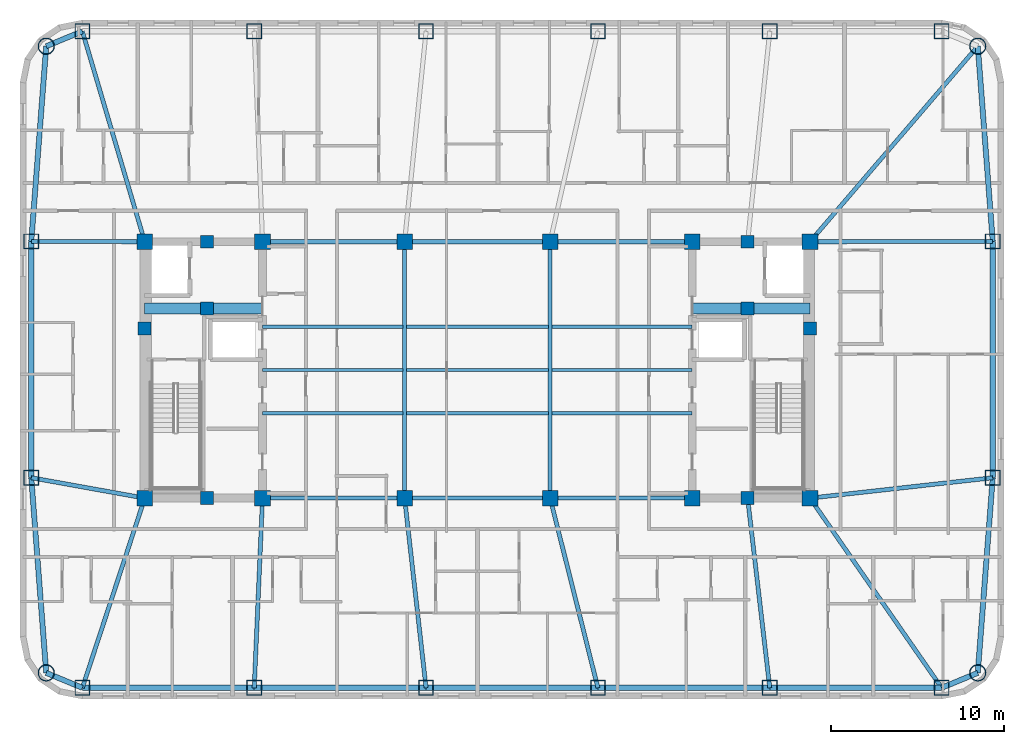
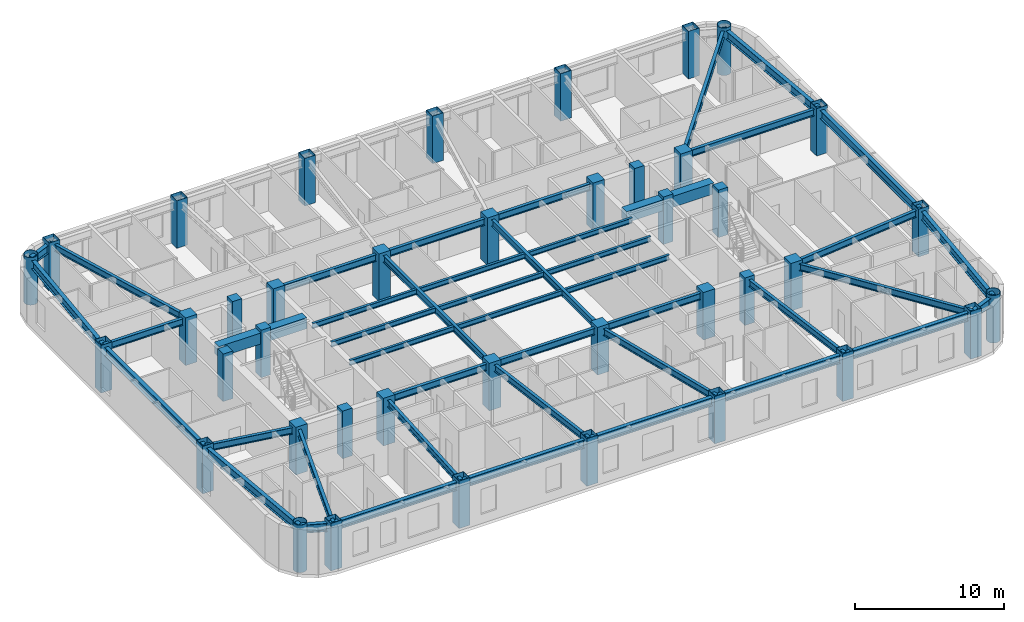
# One storey, part 1 of 11: 45 beams, 40 columns.
"""IFC4 building model written with IfcOpenShell, lengths in metres."""

import ifcopenshell
import ifcopenshell.guid

model = None  # the IFC model being written
_history = None  # IfcOwnerHistory: only IFC2X3 demands one
_inside = {}  # id of a spatial element -> (the spatial element, [elements in it])
_under = {}  # id of a project, library or spatial element -> (it, [spatial elements below it])
_declared = {}  # id of a project -> (the project, [libraries it declares])
_typed = {}  # id of a type object -> (the type object, [elements of that type])
_made_of = {}  # id of a material, layer set ... -> (it, [elements and type objects made of it])


def new_model(schema):
    """Start an empty IFC model of exactly this schema.

    Asked for "IFC4X3", IfcOpenShell would pick the latest addendum, in which some entities
    have other attributes; the version numbers below select the first issue.
    IFC2X3 requires an IfcOwnerHistory on every rooted entity: one is made here for all.
    """
    global model, _history
    if schema == "IFC4X3":
        model = ifcopenshell.file(schema_version=(4, 3, 0, 0))
    else:
        model = ifcopenshell.file(schema=schema)
    _inside.clear()
    _under.clear()
    _declared.clear()
    _typed.clear()
    _made_of.clear()
    _history = None
    if model.schema == "IFC2X3":
        org = make("IfcOrganization", Name="unknown")
        user = make(
            "IfcPersonAndOrganization",
            ThePerson=make("IfcPerson", FamilyName="unknown"),
            TheOrganization=org,
        )
        app = make(
            "IfcApplication",
            ApplicationDeveloper=org,
            Version="unknown",
            ApplicationFullName="unknown",
            ApplicationIdentifier="unknown",
        )
        _history = make(
            "IfcOwnerHistory",
            OwningUser=user,
            OwningApplication=app,
            ChangeAction="ADDED",
            CreationDate=0,
        )
    return model


def make(cls, **values):
    """One entity of the class cls with the attributes given. An attribute that is None is left unset."""
    return model.create_entity(
        cls, **{name: value for name, value in values.items() if value is not None}
    )


def rooted(cls, **values):
    """An entity with a GlobalId (a new one), such as an element, a storey or a relation."""
    return make(cls, GlobalId=ifcopenshell.guid.new(), OwnerHistory=_history, **values)


def si_unit(unit_type, name, prefix=None):
    """IfcSIUnit, for example si_unit("LENGTHUNIT", "METRE", prefix="MILLI")."""
    return make("IfcSIUnit", UnitType=unit_type, Prefix=prefix, Name=name)


def assignment(units):
    """IfcUnitAssignment: the units of a project."""
    return None if units is None else make("IfcUnitAssignment", Units=units)


def point(xyz):
    """IfcCartesianPoint."""
    return None if xyz is None else make("IfcCartesianPoint", Coordinates=xyz)


def direction(xyz):
    """IfcDirection."""
    return None if xyz is None else make("IfcDirection", DirectionRatios=xyz)


def frame(location, z_axis=None, x_axis=None):
    """IfcAxis2Placement3D, a coordinate frame: its origin and axes. An axis left out is left unset."""
    return make(
        "IfcAxis2Placement3D",
        Location=point(location),
        Axis=direction(z_axis),
        RefDirection=direction(x_axis),
    )


def frame_2d(location, x_axis=None):
    """IfcAxis2Placement2D, a coordinate frame in the plane: its origin and x axis."""
    return make(
        "IfcAxis2Placement2D", Location=point(location), RefDirection=direction(x_axis)
    )


def origin():
    """The frame at (0, 0, 0) with its axes left unset."""
    return frame((0.0, 0.0, 0.0))


def origin_2d():
    """The frame at (0, 0) in the plane with its x axis left unset."""
    return frame_2d((0.0, 0.0))


def place(relative_to, where):
    """IfcLocalPlacement: puts the frame where relative to a parent placement (None: the world)."""
    return make(
        "IfcLocalPlacement", PlacementRelTo=relative_to, RelativePlacement=where
    )


def context(
    kind, dimensions, precision=None, world=None, true_north=None, identifier=None
):
    """IfcGeometricRepresentationContext, for example the 3D "Model" context."""
    return make(
        "IfcGeometricRepresentationContext",
        ContextIdentifier=identifier,
        ContextType=kind,
        CoordinateSpaceDimension=dimensions,
        Precision=precision,
        WorldCoordinateSystem=world,
        TrueNorth=true_north,
    )


def subcontext(parent, identifier, kind, view, scale=None):
    """IfcGeometricRepresentationSubContext, for example "Body" below "Model"."""
    return make(
        "IfcGeometricRepresentationSubContext",
        ContextIdentifier=identifier,
        ContextType=kind,
        ParentContext=parent,
        TargetScale=scale,
        TargetView=view,
    )


def project(units=None, contexts=None):
    """IfcProject with its units and contexts."""
    return rooted(
        "IfcProject",
        Name="project",
        RepresentationContexts=contexts,
        UnitsInContext=assignment(units),
    )


def spatial(cls, under=None, at=None, **own):
    """A site, building, storey or space (cls), placed at a placement, below another one or the project."""
    s = rooted(cls, ObjectPlacement=at, **own)
    if under is not None:
        _under.setdefault(under.id(), (under, []))[1].append(s)
    return s


def profile(cls, at=None, kind="AREA", **sizes):
    """A parametric profile (cls). Its sizes go by their IFC names, for example OverallWidth=200.0."""
    return make(cls, ProfileType=kind, Position=at, **sizes)


def rectangle(**sizes):
    """IfcRectangleProfileDef."""
    return profile("IfcRectangleProfileDef", **sizes)


def hollow_rectangle(**sizes):
    """IfcRectangleHollowProfileDef."""
    return profile("IfcRectangleHollowProfileDef", **sizes)


def hollow_circle(**sizes):
    """IfcCircleHollowProfileDef."""
    return profile("IfcCircleHollowProfileDef", **sizes)


def i_section(**sizes):
    """IfcIShapeProfileDef."""
    return profile("IfcIShapeProfileDef", **sizes)


def extrude(swept, where, along, depth):
    """IfcExtrudedAreaSolid: the profile swept, set in the frame where, extruded along a direction by depth."""
    return make(
        "IfcExtrudedAreaSolid",
        SweptArea=swept,
        Position=where,
        ExtrudedDirection=direction(along),
        Depth=depth,
    )


def shape(context_of_items, identifier, shape_type, items):
    """IfcShapeRepresentation: the items that make up one representation, for example the "Body"."""
    return make(
        "IfcShapeRepresentation",
        ContextOfItems=context_of_items,
        RepresentationIdentifier=identifier,
        RepresentationType=shape_type,
        Items=items,
    )


def material(Name=None, Category=None):
    """IfcMaterial."""
    return make("IfcMaterial", Name=Name, Category=Category)


def material_profile(
    of_material, cross_section, Name=None, Category=None, Priority=None
):
    """IfcMaterialProfile: a cross section and its material."""
    return make(
        "IfcMaterialProfile",
        Name=Name,
        Material=of_material,
        Profile=cross_section,
        Priority=Priority,
        Category=Category,
    )


def profile_set(profiles, Name=None, composite=None):
    """IfcMaterialProfileSet."""
    return make(
        "IfcMaterialProfileSet",
        Name=Name,
        MaterialProfiles=profiles,
        CompositeProfile=composite,
    )


def made_of(thing, what):
    """Note that an element or type object is made of a material, layer set ...; save() writes the relation."""
    if what is not None:
        _made_of.setdefault(what.id(), (what, []))[1].append(thing)
    return thing


def type_object(cls, material=None, **own):
    """A type object (cls), such as IfcWallType, which elements share."""
    return made_of(rooted(cls, **own), material)


def element(
    cls,
    number,
    at=None,
    inside=None,
    cuts=None,
    type_object=None,
    material=None,
    context=None,
    identifier="Body",
    shape_type=None,
    held_by="IfcProductDefinitionShape",
    body=None,
    shapes=None,
    **own,
):
    """One element of the class cls, such as IfcWall. Its Tag is "e" and its number.

    at: its placement. inside: the storey or other place that contains it. cuts: it is an
    opening in that element (IfcRelVoidsElement). A single representation is given by context,
    identifier, shape_type and body (its items); several are given by shapes. held_by: the class
    of the entity that holds the representations. save() writes the other relations.
    """
    e = rooted(cls, Tag="e%d" % number, ObjectPlacement=at, **own)
    if body is not None:
        shapes = [shape(context, identifier, shape_type, body)]
    if shapes is not None:
        e.Representation = make(held_by, Representations=shapes)
    if inside is not None:
        _inside.setdefault(inside.id(), (inside, []))[1].append(e)
    if cuts is not None:
        rooted(
            "IfcRelVoidsElement", RelatingBuildingElement=cuts, RelatedOpeningElement=e
        )
    if type_object is not None:
        _typed.setdefault(type_object.id(), (type_object, []))[1].append(e)
    return made_of(e, material)


def aggregate(whole, parts):
    """IfcRelAggregates: a whole, such as a stair, and the parts it consists of."""
    return rooted("IfcRelAggregates", RelatingObject=whole, RelatedObjects=parts)


def save(model, path):
    """Write the relations noted so far, then the file.

    IfcRelAggregates (storeys below a building ...), IfcRelContainedInSpatialStructure (elements
    in a storey), IfcRelDefinesByType, IfcRelAssociatesMaterial and IfcRelDeclares: one each for
    every whole, place, type object, material and project.
    """
    for whole, parts in _under.values():
        aggregate(whole, parts)
    for where, things in _inside.values():
        rooted(
            "IfcRelContainedInSpatialStructure",
            RelatedElements=things,
            RelatingStructure=where,
        )
    for kind, things in _typed.values():
        rooted("IfcRelDefinesByType", RelatedObjects=things, RelatingType=kind)
    for what, things in _made_of.values():
        rooted("IfcRelAssociatesMaterial", RelatedObjects=things, RelatingMaterial=what)
    for by, libraries in _declared.values():
        rooted("IfcRelDeclares", RelatingContext=by, RelatedDefinitions=libraries)
    model.write(path)


model = new_model("IFC4")

# Units and contexts
model_context = context("Model", 3, precision=1e-05, world=origin(), true_north=direction((0.0, 1.0)))
body_context = subcontext(model_context, "Body", "Model", "MODEL_VIEW")
ifc_project = project(units=[si_unit("LENGTHUNIT", "METRE"), si_unit("AREAUNIT", "SQUARE_METRE"), si_unit("VOLUMEUNIT", "CUBIC_METRE"), si_unit("PLANEANGLEUNIT", "RADIAN"), si_unit("MASSUNIT", "GRAM", prefix="KILO")], contexts=[model_context])

# Site, building, storey
site_placement = place(None, origin())
site = spatial("IfcSite", under=ifc_project, at=site_placement, CompositionType="ELEMENT")
building_placement = place(site_placement, origin())
building = spatial("IfcBuilding", under=site, at=building_placement, Name="Voryun Gate Residences", CompositionType="ELEMENT")
storey_placement = place(building_placement, frame((0.0, 0.0, 223.60009765625)))
storey = spatial("IfcBuildingStorey", under=building, at=storey_placement, Name="L55", CompositionType="ELEMENT", Elevation=223.60009765625)

# Columns
ifc_material_1 = material(Name="Concrete C50/60", Category="concrete")
ifc_material_profile_1 = material_profile(ifc_material_1, rectangle(XDim=0.75, YDim=0.75, at=origin_2d()), Name="RC-750x750")
ifc_profile_set_1 = profile_set([ifc_material_profile_1], Name="Concrete C50/60")
column_type_1 = type_object("IfcColumnType", Name="COL_CORE_750", PredefinedType="COLUMN", material=ifc_profile_set_1)
for number, where, z_axis, x_axis, name in (
    (1, (-19.199951171875, 2.39990234375, 0.0), (0.0, 0.0, 1.0), (1.0, 0.0, 0.0), "L55 Core boundary column WC-MW"),
    (2, (-15.60009765625, -7.39990234375, 0.0), (0.0, 0.0, 1.0), (1.0, 0.0, 0.0), "L55 Core boundary column WC-SM"),
    (3, (-15.60009765625, 7.39990234375, 0.0), (0.0, 0.0, 1.0), (1.0, 0.0, 0.0), "L55 Core boundary column WC-NM"),
    (4, (-15.60009765625, 3.550048828125, 0.0), (0.0, 0.0, 1.0), (1.0, 0.0, 0.0), "L55 Core boundary column WC-MM"),
    (5, (15.60009765625, 3.550048828125, 0.0), (0.0, 0.0, 1.0), (1.0, 0.0, 0.0), "L55 Core boundary column EC-MM"),
    (6, (15.60009765625, -7.39990234375, 0.0), (0.0, 0.0, 1.0), (1.0, 0.0, 0.0), "L55 Core boundary column EC-SM"),
    (7, (15.60009765625, 7.39990234375, 0.0), (0.0, 0.0, 1.0), (1.0, 0.0, 0.0), "L55 Core boundary column EC-NM"),
    (8, (19.199951171875, 2.39990234375, 0.0), (0.0, 0.0, 1.0), (1.0, 0.0, 0.0), "L55 Core boundary column EC-ME"),
):
    element("IfcColumn", number, at=place(storey_placement, frame(where, z_axis=z_axis, x_axis=x_axis)), inside=storey, type_object=column_type_1, Name=name, PredefinedType="COLUMN", context=body_context, shape_type="SweptSolid", body=[
        extrude(rectangle(XDim=0.75, YDim=0.75, at=origin_2d()), origin(), (0.0, 0.0, 1.0), 3.89990234375),
    ])
ifc_material_2 = material(Name="Concrete C50/60", Category="concrete")
ifc_material_profile_2 = material_profile(ifc_material_2, rectangle(XDim=0.89990234375, YDim=0.89990234375, at=origin_2d()), Name="RC-900x900")
ifc_profile_set_2 = profile_set([ifc_material_profile_2], Name="Concrete C50/60")
column_type_2 = type_object("IfcColumnType", Name="COL_CORE_900", PredefinedType="COLUMN", material=ifc_profile_set_2)
for number, where, z_axis, x_axis, name in (
    (9, (-19.199951171875, -7.39990234375, 0.0), (0.0, 0.0, 1.0), (1.0, 0.0, 0.0), "L55 Core boundary column WC-SW"),
    (10, (-19.199951171875, 7.39990234375, 0.0), (0.0, 0.0, 1.0), (1.0, 0.0, 0.0), "L55 Core boundary column WC-NW"),
    (11, (-12.39990234375, -7.39990234375, 0.0), (0.0, 0.0, 1.0), (1.0, 0.0, 0.0), "L55 Core boundary column WC-SE"),
    (12, (-12.39990234375, 7.39990234375, 0.0), (0.0, 0.0, 1.0), (1.0, 0.0, 0.0), "L55 Core boundary column WC-NE"),
    (13, (12.39990234375, -7.39990234375, 0.0), (0.0, 0.0, 1.0), (1.0, 0.0, 0.0), "L55 Core boundary column EC-SW"),
    (14, (12.39990234375, 7.39990234375, 0.0), (0.0, 0.0, 1.0), (1.0, 0.0, 0.0), "L55 Core boundary column EC-NW"),
    (15, (19.199951171875, -7.39990234375, 0.0), (0.0, 0.0, 1.0), (1.0, 0.0, 0.0), "L55 Core boundary column EC-SE"),
    (16, (19.199951171875, 7.39990234375, 0.0), (0.0, 0.0, 1.0), (1.0, 0.0, 0.0), "L55 Core boundary column EC-NE"),
    (17, (-4.199951171875, -7.39990234375, 0.0), (0.0, 0.0, 1.0), (1.0, 0.0, 0.0), "L55 Interior spine column SP-WS"),
    (18, (-4.199951171875, 7.39990234375, 0.0), (0.0, 0.0, 1.0), (1.0, 0.0, 0.0), "L55 Interior spine column SP-WN"),
    (19, (4.199951171875, -7.39990234375, 0.0), (0.0, 0.0, 1.0), (1.0, 0.0, 0.0), "L55 Interior spine column SP-ES"),
    (20, (4.199951171875, 7.39990234375, 0.0), (0.0, 0.0, 1.0), (1.0, 0.0, 0.0), "L55 Interior spine column SP-EN"),
):
    element("IfcColumn", number, at=place(storey_placement, frame(where, z_axis=z_axis, x_axis=x_axis)), inside=storey, type_object=column_type_2, Name=name, PredefinedType="COLUMN", context=body_context, shape_type="SweptSolid", body=[
        extrude(rectangle(XDim=0.89990234375, YDim=0.89990234375, at=origin_2d()), origin(), (0.0, 0.0, 1.0), 3.89990234375),
    ])
ifc_material_3 = material(Name="Steel SM420", Category="steel")
ifc_material_profile_3 = material_profile(ifc_material_3, hollow_circle(Radius=0.47509765625, WallThickness=0.031982421875, at=origin_2d()), Name="CHS-950x32")
ifc_profile_set_3 = profile_set([ifc_material_profile_3], Name="Steel SM420")
column_type_3 = type_object("IfcColumnType", Name="COL_CRN_950", PredefinedType="COLUMN", material=ifc_profile_set_3)
for number, where, z_axis, x_axis, name in (
    (21, (28.885986328125, -17.486083984375, 0.0), (0.0, 0.0, 1.0), (1.0, 0.0, 0.0), "L55 Exoskeleton column CSE"),
    (22, (28.885986328125, 18.68603515625, 0.0), (0.0, 0.0, 1.0), (1.0, 0.0, 0.0), "L55 Exoskeleton column CNE"),
    (23, (-24.885986328125, 18.68603515625, 0.0), (0.0, 0.0, 1.0), (1.0, 0.0, 0.0), "L55 Exoskeleton column CNW"),
    (24, (-24.885986328125, -17.486083984375, 0.0), (0.0, 0.0, 1.0), (1.0, 0.0, 0.0), "L55 Exoskeleton column CSW"),
):
    element("IfcColumn", number, at=place(storey_placement, frame(where, z_axis=z_axis, x_axis=x_axis)), inside=storey, type_object=column_type_3, Name=name, PredefinedType="COLUMN", context=body_context, shape_type="SweptSolid", body=[
        extrude(hollow_circle(Radius=0.47509765625, WallThickness=0.031982421875, at=origin_2d()), origin(), (0.0, 0.0, 1.0), 3.89990234375),
    ])
ifc_material_4 = material(Name="Steel SM355", Category="steel")
ifc_material_profile_4 = material_profile(ifc_material_4, hollow_rectangle(XDim=0.85009765625, YDim=0.85009765625, WallThickness=0.028076171875, at=origin_2d()), Name="BOX-850x850x28")
ifc_profile_set_4 = profile_set([ifc_material_profile_4], Name="Steel SM355")
column_type_4 = type_object("IfcColumnType", Name="COL_EXO_B4", PredefinedType="COLUMN", material=ifc_profile_set_4)
for number, where, z_axis, x_axis, name in (
    (25, (-22.800048828125, -18.35009765625, 0.0), (0.0, 0.0, 1.0), (1.0, 0.0, 0.0), "L55 Exoskeleton column S1"),
    (26, (-12.8798828125, -18.35009765625, 0.0), (0.0, 0.0, 1.0), (1.0, 0.0, 0.0), "L55 Exoskeleton column S2"),
    (27, (-2.9599609375, -18.35009765625, 0.0), (0.0, 0.0, 1.0), (1.0, 0.0, 0.0), "L55 Exoskeleton column S3"),
    (28, (6.9599609375, -18.35009765625, 0.0), (0.0, 0.0, 1.0), (1.0, 0.0, 0.0), "L55 Exoskeleton column S4"),
    (29, (16.8798828125, -18.35009765625, 0.0), (0.0, 0.0, 1.0), (1.0, 0.0, 0.0), "L55 Exoskeleton column S5"),
    (30, (26.800048828125, -18.35009765625, 0.0), (0.0, 0.0, 1.0), (1.0, 0.0, 0.0), "L55 Exoskeleton column S6"),
    (31, (29.75, -6.221923828125, 0.0), (0.0, 0.0, 1.0), (1.0, 0.0, 0.0), "L55 Exoskeleton column E1"),
    (32, (29.75, 7.422119140625, 0.0), (0.0, 0.0, 1.0), (1.0, 0.0, 0.0), "L55 Exoskeleton column E2"),
    (33, (26.800048828125, 19.550048828125, 0.0), (0.0, 0.0, 1.0), (1.0, 0.0, 0.0), "L55 Exoskeleton column N1"),
    (34, (16.8798828125, 19.550048828125, 0.0), (0.0, 0.0, 1.0), (1.0, 0.0, 0.0), "L55 Exoskeleton column N2"),
    (35, (6.9599609375, 19.550048828125, 0.0), (0.0, 0.0, 1.0), (1.0, 0.0, 0.0), "L55 Exoskeleton column N3"),
    (36, (-2.9599609375, 19.550048828125, 0.0), (0.0, 0.0, 1.0), (1.0, 0.0, 0.0), "L55 Exoskeleton column N4"),
    (37, (-12.8798828125, 19.550048828125, 0.0), (0.0, 0.0, 1.0), (1.0, 0.0, 0.0), "L55 Exoskeleton column N5"),
    (38, (-22.800048828125, 19.550048828125, 0.0), (0.0, 0.0, 1.0), (1.0, 0.0, 0.0), "L55 Exoskeleton column N6"),
    (39, (-25.75, 7.422119140625, 0.0), (0.0, 0.0, 1.0), (1.0, 0.0, 0.0), "L55 Exoskeleton column W1"),
    (40, (-25.75, -6.221923828125, 0.0), (0.0, 0.0, 1.0), (1.0, 0.0, 0.0), "L55 Exoskeleton column W2"),
):
    element("IfcColumn", number, at=place(storey_placement, frame(where, z_axis=z_axis, x_axis=x_axis)), inside=storey, type_object=column_type_4, Name=name, PredefinedType="COLUMN", context=body_context, shape_type="SweptSolid", body=[
        extrude(hollow_rectangle(XDim=0.85009765625, YDim=0.85009765625, WallThickness=0.028076171875, at=origin_2d()), origin(), (0.0, 0.0, 1.0), 3.89990234375),
    ])

# Beams
ifc_material_5 = material(Name="Concrete C60/75", Category="concrete")
ifc_material_profile_5 = material_profile(ifc_material_5, rectangle(XDim=0.64990234375, YDim=0.89990234375, at=origin_2d()), Name="RC-650x900")
ifc_profile_set_5 = profile_set([ifc_material_profile_5], Name="Concrete C60/75")
beam_type_1 = type_object("IfcBeamType", Name="BM_COUP_RC900", PredefinedType="LINTEL", material=ifc_profile_set_5)
for number, where, z_axis, x_axis, name in (
    (41, (-19.199951171875, 3.550048828125, 3.199951171875), (1.0, 0.0, 0.0), (0.0, 1.0, 0.0), "BM-L55-WC1"),
    (42, (12.39990234375, 3.550048828125, 3.199951171875), (1.0, 0.0, 0.0), (0.0, 1.0, 0.0), "BM-L55-EC1"),
):
    element("IfcBeam", number, at=place(storey_placement, frame(where, z_axis=z_axis, x_axis=x_axis)), inside=storey, type_object=beam_type_1, Name=name, PredefinedType="LINTEL", context=body_context, shape_type="SweptSolid", body=[
        extrude(rectangle(XDim=0.64990234375, YDim=0.89990234375, at=origin_2d()), origin(), (0.0, 0.0, 1.0), 6.800048828125),
    ])
ifc_material_6 = material(Name="Steel SM355", Category="steel")
ifc_material_profile_6 = material_profile(ifc_material_6, i_section(OverallWidth=0.300048828125, OverallDepth=0.679931640625, WebThickness=0.013916015625, FlangeThickness=0.02490234375, FilletRadius=0.01806640625, at=origin_2d()), Name="H-680x300x14x25")
ifc_profile_set_6 = profile_set([ifc_material_profile_6], Name="Steel SM355")
beam_type_2 = type_object("IfcBeamType", Name="BM_EXO_SPANDREL_M", PredefinedType="SPANDREL", material=ifc_profile_set_6)
beam_1_placement = place(storey_placement, frame((-22.800048828125, -18.35009765625, 3.309814453125), z_axis=(1.0, 0.0, 0.0), x_axis=(0.0, 1.0, 0.0)))
element("IfcBeam", 43, at=beam_1_placement, inside=storey, type_object=beam_type_2, Name="BM-L55-SPAND-01", PredefinedType="SPANDREL", context=body_context, shape_type="SweptSolid", body=[
    extrude(i_section(OverallWidth=0.300048828125, OverallDepth=0.679931640625, WebThickness=0.013916015625, FlangeThickness=0.02490234375, FilletRadius=0.01806640625, at=origin_2d()), origin(), (0.0, 0.0, 1.0), 9.920166015625),
])
for number, where, z_axis, x_axis, name in (
    (44, (-12.8798828125, -18.35009765625, 3.309814453125), (1.0, 0.0, 0.0), (0.0, 1.0, 0.0), "BM-L55-SPAND-02"),
    (45, (-2.9599609375, -18.35009765625, 3.309814453125), (1.0, 0.0, 0.0), (0.0, 1.0, 0.0), "BM-L55-SPAND-03"),
    (46, (6.9599609375, -18.35009765625, 3.309814453125), (1.0, 0.0, 0.0), (0.0, 1.0, 0.0), "BM-L55-SPAND-04"),
):
    element("IfcBeam", number, at=place(storey_placement, frame(where, z_axis=z_axis, x_axis=x_axis)), inside=storey, type_object=beam_type_2, Name=name, PredefinedType="SPANDREL", context=body_context, shape_type="SweptSolid", body=[
        extrude(i_section(OverallWidth=0.300048828125, OverallDepth=0.679931640625, WebThickness=0.013916015625, FlangeThickness=0.02490234375, FilletRadius=0.01806640625, at=origin_2d()), origin(), (0.0, 0.0, 1.0), 9.919921875),
    ])
beam_2_placement = place(storey_placement, frame((16.8798828125, -18.35009765625, 3.309814453125), z_axis=(1.0, 0.0, 0.0), x_axis=(0.0, 1.0, 0.0)))
element("IfcBeam", 47, at=beam_2_placement, inside=storey, type_object=beam_type_2, Name="BM-L55-SPAND-05", PredefinedType="SPANDREL", context=body_context, shape_type="SweptSolid", body=[
    extrude(i_section(OverallWidth=0.300048828125, OverallDepth=0.679931640625, WebThickness=0.013916015625, FlangeThickness=0.02490234375, FilletRadius=0.01806640625, at=origin_2d()), origin(), (0.0, 0.0, 1.0), 9.920166015625),
])
beam_3_placement = place(storey_placement, frame((26.800048828125, -18.35009765625, 3.309814453125), z_axis=(0.923881087602, 0.382679678022, 0.0), x_axis=(-0.382679678022, 0.923881087602, 0.0)))
element("IfcBeam", 48, at=beam_3_placement, inside=storey, type_object=beam_type_2, Name="BM-L55-SPAND-06", PredefinedType="SPANDREL", context=body_context, shape_type="SweptSolid", body=[
    extrude(i_section(OverallWidth=0.300048828125, OverallDepth=0.679931640625, WebThickness=0.013916015625, FlangeThickness=0.02490234375, FilletRadius=0.01806640625, at=origin_2d()), origin(), (0.0, 0.0, 1.0), 2.2578125),
])
beam_4_placement = place(storey_placement, frame((28.885986328125, -17.486083984375, 3.309814453125), z_axis=(0.076480009441, 0.997071114894, 0.0), x_axis=(-0.997071114894, 0.076480009441, 0.0)))
element("IfcBeam", 49, at=beam_4_placement, inside=storey, type_object=beam_type_2, Name="BM-L55-SPAND-07", PredefinedType="SPANDREL", context=body_context, shape_type="SweptSolid", body=[
    extrude(i_section(OverallWidth=0.300048828125, OverallDepth=0.679931640625, WebThickness=0.013916015625, FlangeThickness=0.02490234375, FilletRadius=0.01806640625, at=origin_2d()), origin(), (0.0, 0.0, 1.0), 11.29736328125),
])
beam_5_placement = place(storey_placement, frame((29.75, -6.221923828125, 3.309814453125), z_axis=(0.0, 1.0, 0.0), x_axis=(-1.0, 0.0, 0.0)))
element("IfcBeam", 50, at=beam_5_placement, inside=storey, type_object=beam_type_2, Name="BM-L55-SPAND-08", PredefinedType="SPANDREL", context=body_context, shape_type="SweptSolid", body=[
    extrude(i_section(OverallWidth=0.300048828125, OverallDepth=0.679931640625, WebThickness=0.013916015625, FlangeThickness=0.02490234375, FilletRadius=0.01806640625, at=origin_2d()), origin(), (0.0, 0.0, 1.0), 13.64404296875),
])
beam_6_placement = place(storey_placement, frame((29.75, 7.422119140625, 3.309814453125), z_axis=(-0.076481657417, 0.997070988485, 0.0), x_axis=(-0.997070988485, -0.076481657417, 0.0)))
element("IfcBeam", 51, at=beam_6_placement, inside=storey, type_object=beam_type_2, Name="BM-L55-SPAND-09", PredefinedType="SPANDREL", context=body_context, shape_type="SweptSolid", body=[
    extrude(i_section(OverallWidth=0.300048828125, OverallDepth=0.679931640625, WebThickness=0.013916015625, FlangeThickness=0.02490234375, FilletRadius=0.01806640625, at=origin_2d()), origin(), (0.0, 0.0, 1.0), 11.297119140625),
])
beam_7_placement = place(storey_placement, frame((-22.800048828125, 19.550048828125, 3.309814453125), z_axis=(-0.923881087602, -0.382679678022, 0.0), x_axis=(0.382679678022, -0.923881087602, 0.0)))
element("IfcBeam", 52, at=beam_7_placement, inside=storey, type_object=beam_type_2, Name="BM-L55-SPAND-16", PredefinedType="SPANDREL", context=body_context, shape_type="SweptSolid", body=[
    extrude(i_section(OverallWidth=0.300048828125, OverallDepth=0.679931640625, WebThickness=0.013916015625, FlangeThickness=0.02490234375, FilletRadius=0.01806640625, at=origin_2d()), origin(), (0.0, 0.0, 1.0), 2.2578125),
])
beam_8_placement = place(storey_placement, frame((-24.885986328125, 18.68603515625, 3.309814453125), z_axis=(-0.076481657417, -0.997070988485, 0.0), x_axis=(0.997070988485, -0.076481657417, 0.0)))
element("IfcBeam", 53, at=beam_8_placement, inside=storey, type_object=beam_type_2, Name="BM-L55-SPAND-17", PredefinedType="SPANDREL", context=body_context, shape_type="SweptSolid", body=[
    extrude(i_section(OverallWidth=0.300048828125, OverallDepth=0.679931640625, WebThickness=0.013916015625, FlangeThickness=0.02490234375, FilletRadius=0.01806640625, at=origin_2d()), origin(), (0.0, 0.0, 1.0), 11.297119140625),
])
beam_9_placement = place(storey_placement, frame((-25.75, 7.422119140625, 3.309814453125), z_axis=(0.0, -1.0, 0.0), x_axis=(1.0, 0.0, 0.0)))
element("IfcBeam", 54, at=beam_9_placement, inside=storey, type_object=beam_type_2, Name="BM-L55-SPAND-18", PredefinedType="SPANDREL", context=body_context, shape_type="SweptSolid", body=[
    extrude(i_section(OverallWidth=0.300048828125, OverallDepth=0.679931640625, WebThickness=0.013916015625, FlangeThickness=0.02490234375, FilletRadius=0.01806640625, at=origin_2d()), origin(), (0.0, 0.0, 1.0), 13.64404296875),
])
beam_10_placement = place(storey_placement, frame((-25.75, -6.221923828125, 3.309814453125), z_axis=(0.076480009441, -0.997071114894, 0.0), x_axis=(0.997071114894, 0.076480009441, 0.0)))
element("IfcBeam", 55, at=beam_10_placement, inside=storey, type_object=beam_type_2, Name="BM-L55-SPAND-19", PredefinedType="SPANDREL", context=body_context, shape_type="SweptSolid", body=[
    extrude(i_section(OverallWidth=0.300048828125, OverallDepth=0.679931640625, WebThickness=0.013916015625, FlangeThickness=0.02490234375, FilletRadius=0.01806640625, at=origin_2d()), origin(), (0.0, 0.0, 1.0), 11.29736328125),
])
beam_11_placement = place(storey_placement, frame((-24.885986328125, -17.486083984375, 3.309814453125), z_axis=(0.923881087602, -0.382679678022, 0.0), x_axis=(0.382679678022, 0.923881087602, 0.0)))
element("IfcBeam", 56, at=beam_11_placement, inside=storey, type_object=beam_type_2, Name="BM-L55-SPAND-20", PredefinedType="SPANDREL", context=body_context, shape_type="SweptSolid", body=[
    extrude(i_section(OverallWidth=0.300048828125, OverallDepth=0.679931640625, WebThickness=0.013916015625, FlangeThickness=0.02490234375, FilletRadius=0.01806640625, at=origin_2d()), origin(), (0.0, 0.0, 1.0), 2.2578125),
])
ifc_material_7 = material(Name="Steel SM355", Category="steel")
ifc_material_profile_7 = material_profile(ifc_material_7, i_section(OverallWidth=0.239990234375, OverallDepth=0.550048828125, WebThickness=0.011962890625, FlangeThickness=0.02001953125, FilletRadius=0.01806640625, at=origin_2d()), Name="H-550x240x12x20")
ifc_profile_set_7 = profile_set([ifc_material_profile_7], Name="Steel SM355")
beam_type_3 = type_object("IfcBeamType", Name="BM_GIRD_550", PredefinedType="USERDEFINED", material=ifc_profile_set_7)
beam_12_placement = place(storey_placement, frame((-12.39990234375, -7.39990234375, 3.375), z_axis=(1.0, 0.0, 0.0), x_axis=(0.0, 1.0, 0.0)))
element("IfcBeam", 57, at=beam_12_placement, inside=storey, type_object=beam_type_3, Name="BM-L55-SPG1-S", ObjectType="GIRDER", PredefinedType="USERDEFINED", context=body_context, shape_type="SweptSolid", body=[
    extrude(i_section(OverallWidth=0.239990234375, OverallDepth=0.550048828125, WebThickness=0.011962890625, FlangeThickness=0.02001953125, FilletRadius=0.01806640625, at=origin_2d()), origin(), (0.0, 0.0, 1.0), 8.199951171875),
])
beam_13_placement = place(storey_placement, frame((-4.199951171875, -7.39990234375, 3.375), z_axis=(1.0, 0.0, 0.0), x_axis=(0.0, 1.0, 0.0)))
element("IfcBeam", 58, at=beam_13_placement, inside=storey, type_object=beam_type_3, Name="BM-L55-SPG2-S", ObjectType="GIRDER", PredefinedType="USERDEFINED", context=body_context, shape_type="SweptSolid", body=[
    extrude(i_section(OverallWidth=0.239990234375, OverallDepth=0.550048828125, WebThickness=0.011962890625, FlangeThickness=0.02001953125, FilletRadius=0.01806640625, at=origin_2d()), origin(), (0.0, 0.0, 1.0), 8.39990234375),
])
for number, where, z_axis, x_axis, name in (
    (59, (4.199951171875, -7.39990234375, 3.375), (1.0, 0.0, 0.0), (0.0, 1.0, 0.0), "BM-L55-SPG3-S"),
    (60, (-12.39990234375, 7.39990234375, 3.375), (1.0, 0.0, 0.0), (0.0, 1.0, 0.0), "BM-L55-SPG1-N"),
):
    element("IfcBeam", number, at=place(storey_placement, frame(where, z_axis=z_axis, x_axis=x_axis)), inside=storey, type_object=beam_type_3, Name=name, ObjectType="GIRDER", PredefinedType="USERDEFINED", context=body_context, shape_type="SweptSolid", body=[
        extrude(i_section(OverallWidth=0.239990234375, OverallDepth=0.550048828125, WebThickness=0.011962890625, FlangeThickness=0.02001953125, FilletRadius=0.01806640625, at=origin_2d()), origin(), (0.0, 0.0, 1.0), 8.199951171875),
    ])
beam_14_placement = place(storey_placement, frame((-4.199951171875, 7.39990234375, 3.375), z_axis=(1.0, 0.0, 0.0), x_axis=(0.0, 1.0, 0.0)))
element("IfcBeam", 61, at=beam_14_placement, inside=storey, type_object=beam_type_3, Name="BM-L55-SPG2-N", ObjectType="GIRDER", PredefinedType="USERDEFINED", context=body_context, shape_type="SweptSolid", body=[
    extrude(i_section(OverallWidth=0.239990234375, OverallDepth=0.550048828125, WebThickness=0.011962890625, FlangeThickness=0.02001953125, FilletRadius=0.01806640625, at=origin_2d()), origin(), (0.0, 0.0, 1.0), 8.39990234375),
])
beam_15_placement = place(storey_placement, frame((4.199951171875, 7.39990234375, 3.375), z_axis=(1.0, 0.0, 0.0), x_axis=(0.0, 1.0, 0.0)))
element("IfcBeam", 62, at=beam_15_placement, inside=storey, type_object=beam_type_3, Name="BM-L55-SPG3-N", ObjectType="GIRDER", PredefinedType="USERDEFINED", context=body_context, shape_type="SweptSolid", body=[
    extrude(i_section(OverallWidth=0.239990234375, OverallDepth=0.550048828125, WebThickness=0.011962890625, FlangeThickness=0.02001953125, FilletRadius=0.01806640625, at=origin_2d()), origin(), (0.0, 0.0, 1.0), 8.199951171875),
])
for number, where, z_axis, x_axis, name in (
    (63, (-4.199951171875, -7.39990234375, 3.375), (0.0, 1.0, 0.0), (-1.0, 0.0, 0.0), "BM-L55-SPX-W"),
    (64, (4.199951171875, -7.39990234375, 3.375), (0.0, 1.0, 0.0), (-1.0, 0.0, 0.0), "BM-L55-SPX-E"),
):
    element("IfcBeam", number, at=place(storey_placement, frame(where, z_axis=z_axis, x_axis=x_axis)), inside=storey, type_object=beam_type_3, Name=name, ObjectType="GIRDER", PredefinedType="USERDEFINED", context=body_context, shape_type="SweptSolid", body=[
        extrude(i_section(OverallWidth=0.239990234375, OverallDepth=0.550048828125, WebThickness=0.011962890625, FlangeThickness=0.02001953125, FilletRadius=0.01806640625, at=origin_2d()), origin(), (0.0, 0.0, 1.0), 14.7998046875),
    ])
beam_16_placement = place(storey_placement, frame((-19.199951171875, -7.39990234375, 3.375), z_axis=(-0.312323693326, -0.949975742104, 0.0), x_axis=(0.949975742104, -0.312323693326, 0.0)))
element("IfcBeam", 65, at=beam_16_placement, inside=storey, type_object=beam_type_3, Name="BM-L55-RAD-S1", ObjectType="GIRDER", PredefinedType="USERDEFINED", context=body_context, shape_type="SweptSolid", body=[
    extrude(i_section(OverallWidth=0.239990234375, OverallDepth=0.550048828125, WebThickness=0.011962890625, FlangeThickness=0.02001953125, FilletRadius=0.01806640625, at=origin_2d()), origin(), (0.0, 0.0, 1.0), 11.52685546875),
])
beam_17_placement = place(storey_placement, frame((-12.39990234375, -7.39990234375, 3.375), z_axis=(-0.043791002488, -0.999040713936, 0.0), x_axis=(0.999040713936, -0.043791002488, 0.0)))
element("IfcBeam", 66, at=beam_17_placement, inside=storey, type_object=beam_type_3, Name="BM-L55-RAD-S2", ObjectType="GIRDER", PredefinedType="USERDEFINED", context=body_context, shape_type="SweptSolid", body=[
    extrude(i_section(OverallWidth=0.239990234375, OverallDepth=0.550048828125, WebThickness=0.011962890625, FlangeThickness=0.02001953125, FilletRadius=0.01806640625, at=origin_2d()), origin(), (0.0, 0.0, 1.0), 10.960693359375),
])
beam_18_placement = place(storey_placement, frame((-4.199951171875, -7.39990234375, 3.375), z_axis=(0.112519968476, -0.993649463691, 0.0), x_axis=(0.993649463691, 0.112519968476, 0.0)))
element("IfcBeam", 67, at=beam_18_placement, inside=storey, type_object=beam_type_3, Name="BM-L55-RAD-S3", ObjectType="GIRDER", PredefinedType="USERDEFINED", context=body_context, shape_type="SweptSolid", body=[
    extrude(i_section(OverallWidth=0.239990234375, OverallDepth=0.550048828125, WebThickness=0.011962890625, FlangeThickness=0.02001953125, FilletRadius=0.01806640625, at=origin_2d()), origin(), (0.0, 0.0, 1.0), 11.020263671875),
])
beam_19_placement = place(storey_placement, frame((4.199951171875, -7.39990234375, 3.375), z_axis=(0.24440715799, -0.969672697936, 0.0), x_axis=(0.969672697936, 0.24440715799, 0.0)))
element("IfcBeam", 68, at=beam_19_placement, inside=storey, type_object=beam_type_3, Name="BM-L55-RAD-S4", ObjectType="GIRDER", PredefinedType="USERDEFINED", context=body_context, shape_type="SweptSolid", body=[
    extrude(i_section(OverallWidth=0.239990234375, OverallDepth=0.550048828125, WebThickness=0.011962890625, FlangeThickness=0.02001953125, FilletRadius=0.01806640625, at=origin_2d()), origin(), (0.0, 0.0, 1.0), 11.292724609375),
])
beam_20_placement = place(storey_placement, frame((15.60009765625, -7.39990234375, 3.375), z_axis=(0.116083150214, -0.993239498931, 0.0), x_axis=(0.993239498931, 0.116083150214, 0.0)))
element("IfcBeam", 69, at=beam_20_placement, inside=storey, type_object=beam_type_3, Name="BM-L55-RAD-S5", ObjectType="GIRDER", PredefinedType="USERDEFINED", context=body_context, shape_type="SweptSolid", body=[
    extrude(i_section(OverallWidth=0.239990234375, OverallDepth=0.550048828125, WebThickness=0.011962890625, FlangeThickness=0.02001953125, FilletRadius=0.01806640625, at=origin_2d()), origin(), (0.0, 0.0, 1.0), 11.024658203125),
])
beam_21_placement = place(storey_placement, frame((19.199951171875, -7.39990234375, 3.375), z_axis=(0.570182975489, -0.821517726201, 0.0), x_axis=(0.821517726201, 0.570182975489, 0.0)))
element("IfcBeam", 70, at=beam_21_placement, inside=storey, type_object=beam_type_3, Name="BM-L55-RAD-S6", ObjectType="GIRDER", PredefinedType="USERDEFINED", context=body_context, shape_type="SweptSolid", body=[
    extrude(i_section(OverallWidth=0.239990234375, OverallDepth=0.550048828125, WebThickness=0.011962890625, FlangeThickness=0.02001953125, FilletRadius=0.01806640625, at=origin_2d()), origin(), (0.0, 0.0, 1.0), 13.329345703125),
])
beam_22_placement = place(storey_placement, frame((19.199951171875, -7.39990234375, 3.375), z_axis=(0.993824131675, 0.110966640486, 0.0), x_axis=(-0.110966640486, 0.993824131675, 0.0)))
element("IfcBeam", 71, at=beam_22_placement, inside=storey, type_object=beam_type_3, Name="BM-L55-RAD-E1", ObjectType="GIRDER", PredefinedType="USERDEFINED", context=body_context, shape_type="SweptSolid", body=[
    extrude(i_section(OverallWidth=0.239990234375, OverallDepth=0.550048828125, WebThickness=0.011962890625, FlangeThickness=0.02001953125, FilletRadius=0.01806640625, at=origin_2d()), origin(), (0.0, 0.0, 1.0), 10.61572265625),
])
beam_23_placement = place(storey_placement, frame((19.199951171875, 7.39990234375, 3.375), z_axis=(0.99999778271, 0.002105843108, 0.0), x_axis=(-0.002105843108, 0.99999778271, 0.0)))
element("IfcBeam", 72, at=beam_23_placement, inside=storey, type_object=beam_type_3, Name="BM-L55-RAD-E2", ObjectType="GIRDER", PredefinedType="USERDEFINED", context=body_context, shape_type="SweptSolid", body=[
    extrude(i_section(OverallWidth=0.239990234375, OverallDepth=0.550048828125, WebThickness=0.011962890625, FlangeThickness=0.02001953125, FilletRadius=0.01806640625, at=origin_2d()), origin(), (0.0, 0.0, 1.0), 10.550048828125),
])
beam_24_placement = place(storey_placement, frame((19.199951171875, 7.39990234375, 3.375), z_axis=(0.651264396721, 0.758850898111, 0.0), x_axis=(-0.758850898111, 0.651264396721, 0.0)))
element("IfcBeam", 73, at=beam_24_placement, inside=storey, type_object=beam_type_3, Name="BM-L55-RAD-CNE", ObjectType="GIRDER", PredefinedType="USERDEFINED", context=body_context, shape_type="SweptSolid", body=[
    extrude(i_section(OverallWidth=0.239990234375, OverallDepth=0.550048828125, WebThickness=0.011962890625, FlangeThickness=0.02001953125, FilletRadius=0.01806640625, at=origin_2d()), origin(), (0.0, 0.0, 1.0), 14.87255859375),
])
beam_25_placement = place(storey_placement, frame((-19.199951171875, 7.39990234375, 3.375), z_axis=(-0.284092265434, 0.958796946553, 0.0), x_axis=(-0.958796946553, -0.284092265434, 0.0)))
element("IfcBeam", 74, at=beam_25_placement, inside=storey, type_object=beam_type_3, Name="BM-L55-RAD-N6", ObjectType="GIRDER", PredefinedType="USERDEFINED", context=body_context, shape_type="SweptSolid", body=[
    extrude(i_section(OverallWidth=0.239990234375, OverallDepth=0.550048828125, WebThickness=0.011962890625, FlangeThickness=0.02001953125, FilletRadius=0.01806640625, at=origin_2d()), origin(), (0.0, 0.0, 1.0), 12.67236328125),
])
beam_26_placement = place(storey_placement, frame((-19.199951171875, 7.39990234375, 3.375), z_axis=(-0.999994247719, 0.003391832589, 0.0), x_axis=(-0.003391832589, -0.999994247719, 0.0)))
element("IfcBeam", 75, at=beam_26_placement, inside=storey, type_object=beam_type_3, Name="BM-L55-RAD-W1", ObjectType="GIRDER", PredefinedType="USERDEFINED", context=body_context, shape_type="SweptSolid", body=[
    extrude(i_section(OverallWidth=0.239990234375, OverallDepth=0.550048828125, WebThickness=0.011962890625, FlangeThickness=0.02001953125, FilletRadius=0.01806640625, at=origin_2d()), origin(), (0.0, 0.0, 1.0), 6.550048828125),
])
beam_27_placement = place(storey_placement, frame((-19.199951171875, -7.39990234375, 3.375), z_axis=(-0.984210303638, 0.177003045773, 0.0), x_axis=(-0.177003045773, -0.984210303638, 0.0)))
element("IfcBeam", 76, at=beam_27_placement, inside=storey, type_object=beam_type_3, Name="BM-L55-RAD-W2", ObjectType="GIRDER", PredefinedType="USERDEFINED", context=body_context, shape_type="SweptSolid", body=[
    extrude(i_section(OverallWidth=0.239990234375, OverallDepth=0.550048828125, WebThickness=0.011962890625, FlangeThickness=0.02001953125, FilletRadius=0.01806640625, at=origin_2d()), origin(), (0.0, 0.0, 1.0), 6.655029296875),
])
ifc_material_8 = material(Name="Steel SM355", Category="steel")
ifc_material_profile_8 = material_profile(ifc_material_8, i_section(OverallWidth=0.18994140625, OverallDepth=0.419921875, WebThickness=0.009033203125, FlangeThickness=0.01611328125, FilletRadius=0.01806640625, at=origin_2d()), Name="H-420x190x9x16")
ifc_profile_set_8 = profile_set([ifc_material_profile_8], Name="Steel SM355")
beam_type_4 = type_object("IfcBeamType", Name="BM_SEC_420", PredefinedType="BEAM", material=ifc_profile_set_8)
beam_28_placement = place(storey_placement, frame((-12.39990234375, -2.5, 3.43994140625), z_axis=(1.0, 0.0, 0.0), x_axis=(0.0, 1.0, 0.0)))
element("IfcBeam", 77, at=beam_28_placement, inside=storey, type_object=beam_type_4, Name="BM-L55-SEC-CS1", PredefinedType="BEAM", context=body_context, shape_type="SweptSolid", body=[
    extrude(i_section(OverallWidth=0.18994140625, OverallDepth=0.419921875, WebThickness=0.009033203125, FlangeThickness=0.01611328125, FilletRadius=0.01806640625, at=origin_2d()), origin(), (0.0, 0.0, 1.0), 8.099853515625),
])
beam_29_placement = place(storey_placement, frame((-4.10009765625, -2.5, 3.43994140625), z_axis=(1.0, 0.0, 0.0), x_axis=(0.0, 1.0, 0.0)))
element("IfcBeam", 78, at=beam_29_placement, inside=storey, type_object=beam_type_4, Name="BM-L55-SEC-CS2", PredefinedType="BEAM", context=body_context, shape_type="SweptSolid", body=[
    extrude(i_section(OverallWidth=0.18994140625, OverallDepth=0.419921875, WebThickness=0.009033203125, FlangeThickness=0.01611328125, FilletRadius=0.01806640625, at=origin_2d()), origin(), (0.0, 0.0, 1.0), 8.2001953125),
])
for number, where, z_axis, x_axis, name in (
    (79, (4.300048828125, -2.5, 3.43994140625), (1.0, 0.0, 0.0), (0.0, 1.0, 0.0), "BM-L55-SEC-CS3"),
    (80, (-12.39990234375, 0.0, 3.43994140625), (1.0, 0.0, 0.0), (0.0, 1.0, 0.0), "BM-L55-SEC-CM1"),
):
    element("IfcBeam", number, at=place(storey_placement, frame(where, z_axis=z_axis, x_axis=x_axis)), inside=storey, type_object=beam_type_4, Name=name, PredefinedType="BEAM", context=body_context, shape_type="SweptSolid", body=[
        extrude(i_section(OverallWidth=0.18994140625, OverallDepth=0.419921875, WebThickness=0.009033203125, FlangeThickness=0.01611328125, FilletRadius=0.01806640625, at=origin_2d()), origin(), (0.0, 0.0, 1.0), 8.099853515625),
    ])
beam_30_placement = place(storey_placement, frame((-4.10009765625, 0.0, 3.43994140625), z_axis=(1.0, 0.0, 0.0), x_axis=(0.0, 1.0, 0.0)))
element("IfcBeam", 81, at=beam_30_placement, inside=storey, type_object=beam_type_4, Name="BM-L55-SEC-CM2", PredefinedType="BEAM", context=body_context, shape_type="SweptSolid", body=[
    extrude(i_section(OverallWidth=0.18994140625, OverallDepth=0.419921875, WebThickness=0.009033203125, FlangeThickness=0.01611328125, FilletRadius=0.01806640625, at=origin_2d()), origin(), (0.0, 0.0, 1.0), 8.2001953125),
])
for number, where, z_axis, x_axis, name in (
    (82, (4.300048828125, 0.0, 3.43994140625), (1.0, 0.0, 0.0), (0.0, 1.0, 0.0), "BM-L55-SEC-CM3"),
    (83, (-12.39990234375, 2.5, 3.43994140625), (1.0, 0.0, 0.0), (0.0, 1.0, 0.0), "BM-L55-SEC-CN1"),
):
    element("IfcBeam", number, at=place(storey_placement, frame(where, z_axis=z_axis, x_axis=x_axis)), inside=storey, type_object=beam_type_4, Name=name, PredefinedType="BEAM", context=body_context, shape_type="SweptSolid", body=[
        extrude(i_section(OverallWidth=0.18994140625, OverallDepth=0.419921875, WebThickness=0.009033203125, FlangeThickness=0.01611328125, FilletRadius=0.01806640625, at=origin_2d()), origin(), (0.0, 0.0, 1.0), 8.099853515625),
    ])
beam_31_placement = place(storey_placement, frame((-4.10009765625, 2.5, 3.43994140625), z_axis=(1.0, 0.0, 0.0), x_axis=(0.0, 1.0, 0.0)))
element("IfcBeam", 84, at=beam_31_placement, inside=storey, type_object=beam_type_4, Name="BM-L55-SEC-CN2", PredefinedType="BEAM", context=body_context, shape_type="SweptSolid", body=[
    extrude(i_section(OverallWidth=0.18994140625, OverallDepth=0.419921875, WebThickness=0.009033203125, FlangeThickness=0.01611328125, FilletRadius=0.01806640625, at=origin_2d()), origin(), (0.0, 0.0, 1.0), 8.2001953125),
])
beam_32_placement = place(storey_placement, frame((4.300048828125, 2.5, 3.43994140625), z_axis=(1.0, 0.0, 0.0), x_axis=(0.0, 1.0, 0.0)))
element("IfcBeam", 85, at=beam_32_placement, inside=storey, type_object=beam_type_4, Name="BM-L55-SEC-CN3", PredefinedType="BEAM", context=body_context, shape_type="SweptSolid", body=[
    extrude(i_section(OverallWidth=0.18994140625, OverallDepth=0.419921875, WebThickness=0.009033203125, FlangeThickness=0.01611328125, FilletRadius=0.01806640625, at=origin_2d()), origin(), (0.0, 0.0, 1.0), 8.099853515625),
])

save(model, "model.ifc")
